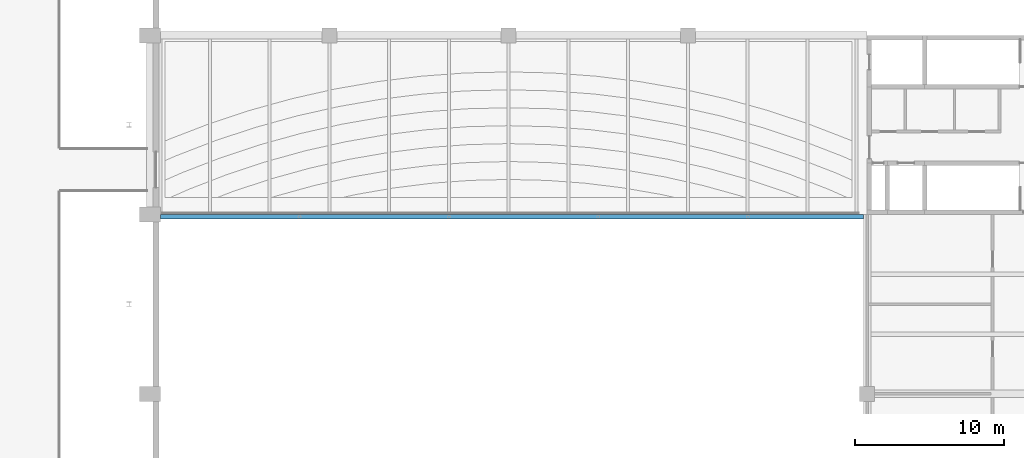
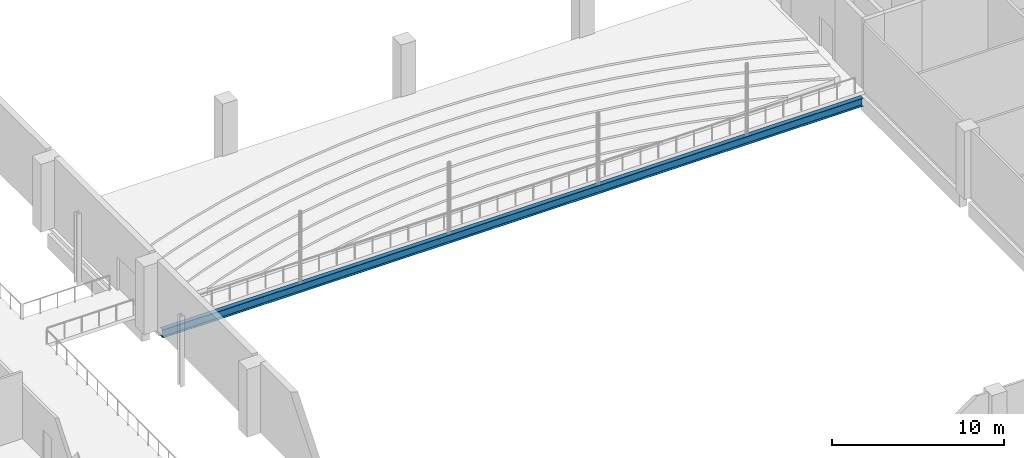
# One storey, part 24 of 69: 1 beam.
"""IFC4 building model written with IfcOpenShell, lengths in metres."""

from ifc_helpers import new_model, si_unit, direction, frame, origin, origin_2d, place, context, subcontext, project, spatial, i_section, extrude, material, material_profile, profile_set, type_object, element, save


model = new_model("IFC4")

# Units and contexts
model_context = context("Model", 3, precision=1e-05, world=origin(), true_north=direction((0.0, 1.0)))
body_context = subcontext(model_context, "Body", "Model", "MODEL_VIEW")
ifc_project = project(units=[si_unit("LENGTHUNIT", "METRE"), si_unit("AREAUNIT", "SQUARE_METRE"), si_unit("VOLUMEUNIT", "CUBIC_METRE"), si_unit("PLANEANGLEUNIT", "RADIAN"), si_unit("MASSUNIT", "GRAM", prefix="KILO")], contexts=[model_context])

# Site, building, storey
site_placement = place(None, origin())
site = spatial("IfcSite", under=ifc_project, at=site_placement, CompositionType="ELEMENT")
building_placement = place(site_placement, origin())
building = spatial("IfcBuilding", under=site, at=building_placement, Name="Lilac Gate Convention Centre", CompositionType="ELEMENT")
storey_placement = place(building_placement, frame((0.0, 0.0, 12.0)))
storey = spatial("IfcBuildingStorey", under=building, at=storey_placement, Name="L02", CompositionType="ELEMENT", Elevation=12.0)

# Beam
ifc_material = material(Name="Steel Q355B", Category="steel")
ifc_material_profile = material_profile(ifc_material, i_section(OverallWidth=0.302001953125, OverallDepth=0.593994140625, WebThickness=0.013916015625, FlangeThickness=0.02294921875, FilletRadius=0.012939453125, at=origin_2d()), Name="HM594x302x14x23")
ifc_profile_set = profile_set([ifc_material_profile], Name="Steel Q355B")
beam_type = type_object("IfcBeamType", Name="Balcony girder HM594x302x14x23", PredefinedType="BEAM", material=ifc_profile_set)
beam_placement = place(storey_placement, frame((30.699951171875, 149.85009765625, -0.547119140625), z_axis=(1.0, 0.0, 0.0), x_axis=(0.0, 1.0, 0.0)))
element("IfcBeam", 1, at=beam_placement, inside=storey, type_object=beam_type, Name="BG2 L02 balcony front girder", PredefinedType="BEAM", context=body_context, shape_type="SweptSolid", body=[
    extrude(i_section(OverallWidth=0.302001953125, OverallDepth=0.593994140625, WebThickness=0.013916015625, FlangeThickness=0.02294921875, FilletRadius=0.012939453125, at=origin_2d()), origin(), (0.0, 0.0, 1.0), 47.050048828125),
])

save(model, "model.ifc")
